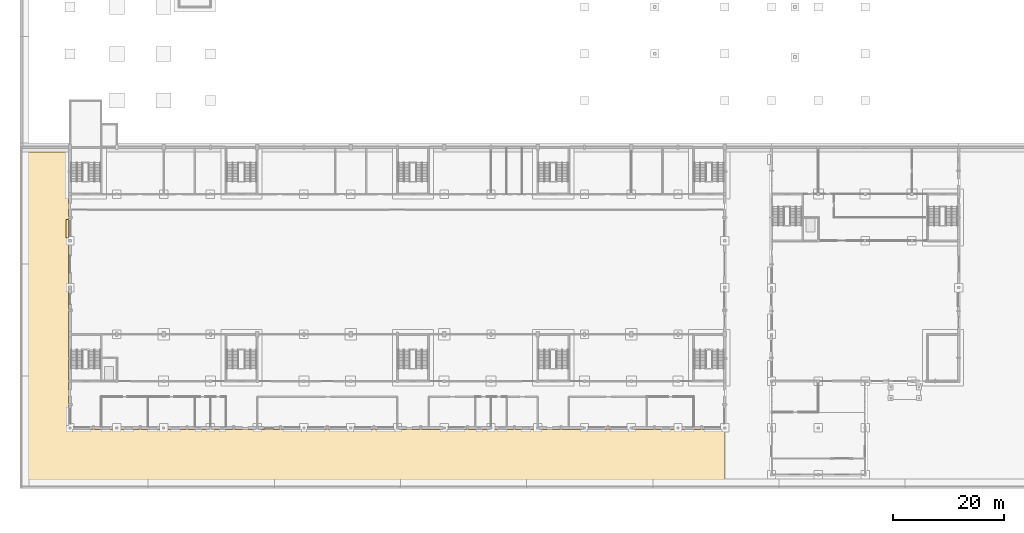
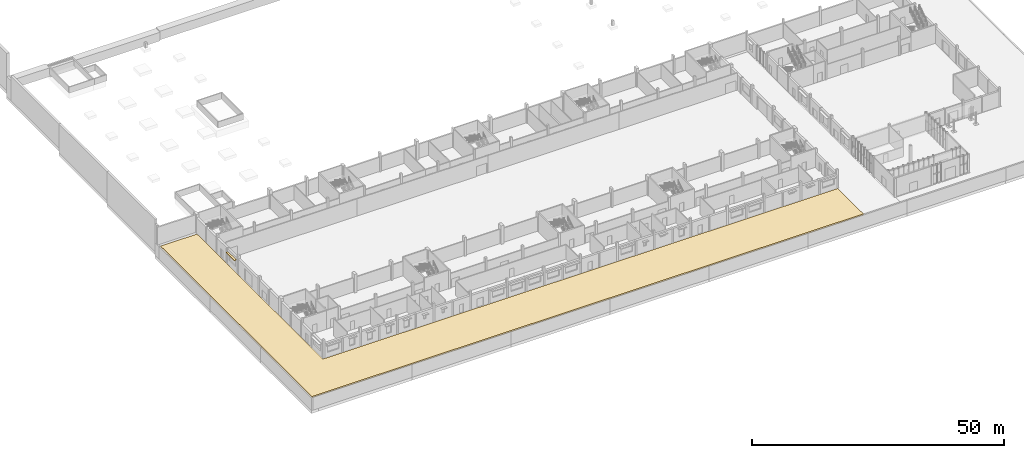
# One storey, part 31 of 36: 2 coverings.
"""IFC4 building model written with IfcOpenShell, lengths in metres."""

from ifc_helpers import new_model, si_unit, direction, frame, origin, origin_2d, place, context, subcontext, project, spatial, polyline, rectangle, outline, extrude, material, layer, layer_set, type_object, element, save


model = new_model("IFC4")

# Units and contexts
model_context = context("Model", 3, precision=1e-05, world=origin(), true_north=direction((0.0, 1.0)))
body_context = subcontext(model_context, "Body", "Model", "MODEL_VIEW")
ifc_project = project(units=[si_unit("LENGTHUNIT", "METRE"), si_unit("AREAUNIT", "SQUARE_METRE"), si_unit("VOLUMEUNIT", "CUBIC_METRE"), si_unit("PLANEANGLEUNIT", "RADIAN"), si_unit("MASSUNIT", "GRAM", prefix="KILO")], contexts=[model_context])

# Site, building, storey
site_placement = place(None, origin())
site = spatial("IfcSite", under=ifc_project, at=site_placement, CompositionType="ELEMENT")
building_placement = place(site_placement, origin())
building = spatial("IfcBuilding", under=site, at=building_placement, Name="Fescue Hill Polytechnic", CompositionType="ELEMENT")
storey_placement = place(building_placement, origin())
storey = spatial("IfcBuildingStorey", under=building, at=storey_placement, Name="L00", CompositionType="ELEMENT", Elevation=0.0)

# Coverings
ifc_material_1 = material(Name="Precast concrete C40/50", Category="concrete")
ifc_layer_1 = layer(ifc_material_1, 0.080078125)
ifc_layer_set_1 = layer_set([ifc_layer_1], Name="Precast concrete C40/50")
covering_type_1 = type_object("IfcCoveringType", Name="Shade blade precast 500x80", PredefinedType="CLADDING", material=ifc_layer_set_1)
covering_1_placement = place(storey_placement, frame((-0.489990234375, 35.75, 3.050048828125), z_axis=(0.0, 0.0, 1.0), x_axis=(0.0, -1.0, 0.0)))
element("IfcCovering", 1, at=covering_1_placement, inside=storey, type_object=covering_type_1, Name="SB-L00-V1-1", PredefinedType="CLADDING", context=body_context, shape_type="SweptSolid", body=[
    extrude(rectangle(XDim=3.300048828125, YDim=0.5, at=origin_2d()), origin(), (0.0, 0.0, 1.0), 0.080078125),
])
ifc_material_2 = material(Name="Paving and gravel")
ifc_layer_2 = layer(ifc_material_2, 0.300048828125)
ifc_layer_set_2 = layer_set([ifc_layer_2], Name="Paving and gravel")
covering_type_2 = type_object("IfcCoveringType", Name="Terrace paving and gravel 300", PredefinedType="FLOORING", material=ifc_layer_set_2)
covering_2_placement = place(storey_placement, frame((0.0, 0.0, -0.300048828125)))
element("IfcCovering", 2, at=covering_2_placement, inside=storey, type_object=covering_type_2, Name="Lower forecourt paving", PredefinedType="FLOORING", context=body_context, shape_type="SweptSolid", body=[
    extrude(outline(polyline([(-8.64306640625, -10.443115234375), (-8.64306640625, 49.60009765625), (-0.300048828125, 49.60009765625), (-0.300048828125, -0.300048828125), (117.60009765625, -0.300048828125), (117.60009765625, -10.443115234375), (-8.64306640625, -10.443115234375)])), origin(), (0.0, 0.0, 1.0), 0.300048828125),
])

save(model, "model.ifc")
